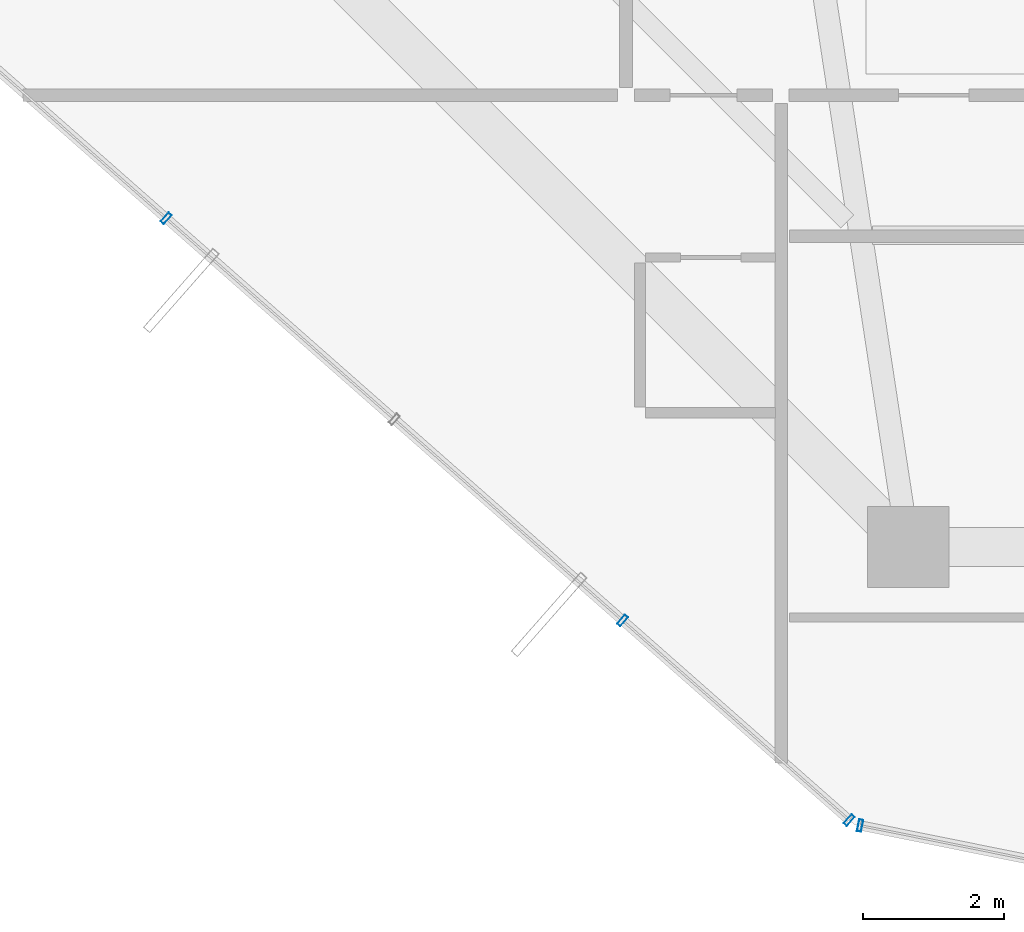
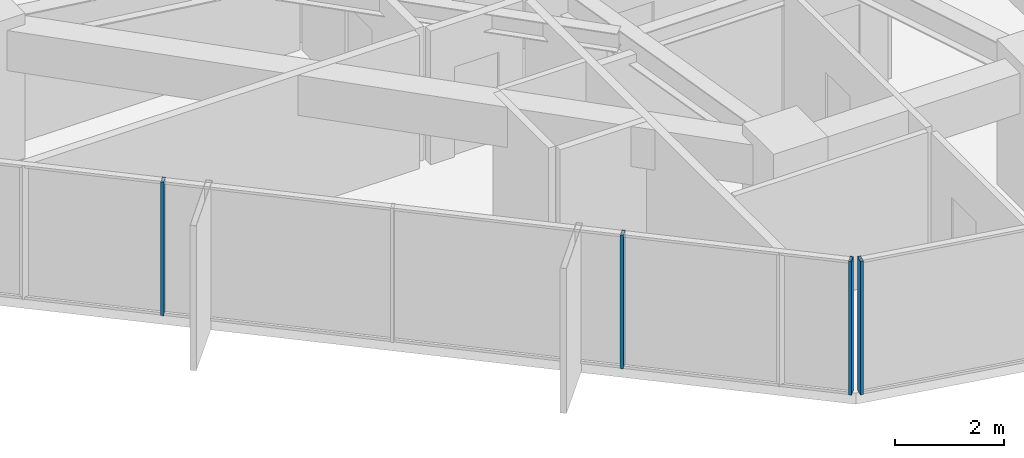
# One storey, part 4 of 32: 4 members, 2 elements without a shape of their own.
"""IFC4 building model written with IfcOpenShell, lengths in metres."""

import ifcopenshell
import ifcopenshell.guid

model = None  # the IFC model being written
_history = None  # IfcOwnerHistory: only IFC2X3 demands one
_inside = {}  # id of a spatial element -> (the spatial element, [elements in it])
_under = {}  # id of a project, library or spatial element -> (it, [spatial elements below it])
_declared = {}  # id of a project -> (the project, [libraries it declares])
_typed = {}  # id of a type object -> (the type object, [elements of that type])
_made_of = {}  # id of a material, layer set ... -> (it, [elements and type objects made of it])


def new_model(schema):
    """Start an empty IFC model of exactly this schema.

    Asked for "IFC4X3", IfcOpenShell would pick the latest addendum, in which some entities
    have other attributes; the version numbers below select the first issue.
    IFC2X3 requires an IfcOwnerHistory on every rooted entity: one is made here for all.
    """
    global model, _history
    if schema == "IFC4X3":
        model = ifcopenshell.file(schema_version=(4, 3, 0, 0))
    else:
        model = ifcopenshell.file(schema=schema)
    _inside.clear()
    _under.clear()
    _declared.clear()
    _typed.clear()
    _made_of.clear()
    _history = None
    if model.schema == "IFC2X3":
        org = make("IfcOrganization", Name="unknown")
        user = make(
            "IfcPersonAndOrganization",
            ThePerson=make("IfcPerson", FamilyName="unknown"),
            TheOrganization=org,
        )
        app = make(
            "IfcApplication",
            ApplicationDeveloper=org,
            Version="unknown",
            ApplicationFullName="unknown",
            ApplicationIdentifier="unknown",
        )
        _history = make(
            "IfcOwnerHistory",
            OwningUser=user,
            OwningApplication=app,
            ChangeAction="ADDED",
            CreationDate=0,
        )
    return model


def make(cls, **values):
    """One entity of the class cls with the attributes given. An attribute that is None is left unset."""
    return model.create_entity(
        cls, **{name: value for name, value in values.items() if value is not None}
    )


def rooted(cls, **values):
    """An entity with a GlobalId (a new one), such as an element, a storey or a relation."""
    return make(cls, GlobalId=ifcopenshell.guid.new(), OwnerHistory=_history, **values)


def si_unit(unit_type, name, prefix=None):
    """IfcSIUnit, for example si_unit("LENGTHUNIT", "METRE", prefix="MILLI")."""
    return make("IfcSIUnit", UnitType=unit_type, Prefix=prefix, Name=name)


def assignment(units):
    """IfcUnitAssignment: the units of a project."""
    return None if units is None else make("IfcUnitAssignment", Units=units)


def point(xyz):
    """IfcCartesianPoint."""
    return None if xyz is None else make("IfcCartesianPoint", Coordinates=xyz)


def direction(xyz):
    """IfcDirection."""
    return None if xyz is None else make("IfcDirection", DirectionRatios=xyz)


def frame(location, z_axis=None, x_axis=None):
    """IfcAxis2Placement3D, a coordinate frame: its origin and axes. An axis left out is left unset."""
    return make(
        "IfcAxis2Placement3D",
        Location=point(location),
        Axis=direction(z_axis),
        RefDirection=direction(x_axis),
    )


def frame_2d(location, x_axis=None):
    """IfcAxis2Placement2D, a coordinate frame in the plane: its origin and x axis."""
    return make(
        "IfcAxis2Placement2D", Location=point(location), RefDirection=direction(x_axis)
    )


def origin():
    """The frame at (0, 0, 0) with its axes left unset."""
    return frame((0.0, 0.0, 0.0))


def origin_2d():
    """The frame at (0, 0) in the plane with its x axis left unset."""
    return frame_2d((0.0, 0.0))


def place(relative_to, where):
    """IfcLocalPlacement: puts the frame where relative to a parent placement (None: the world)."""
    return make(
        "IfcLocalPlacement", PlacementRelTo=relative_to, RelativePlacement=where
    )


def context(
    kind, dimensions, precision=None, world=None, true_north=None, identifier=None
):
    """IfcGeometricRepresentationContext, for example the 3D "Model" context."""
    return make(
        "IfcGeometricRepresentationContext",
        ContextIdentifier=identifier,
        ContextType=kind,
        CoordinateSpaceDimension=dimensions,
        Precision=precision,
        WorldCoordinateSystem=world,
        TrueNorth=true_north,
    )


def subcontext(parent, identifier, kind, view, scale=None):
    """IfcGeometricRepresentationSubContext, for example "Body" below "Model"."""
    return make(
        "IfcGeometricRepresentationSubContext",
        ContextIdentifier=identifier,
        ContextType=kind,
        ParentContext=parent,
        TargetScale=scale,
        TargetView=view,
    )


def project(units=None, contexts=None):
    """IfcProject with its units and contexts."""
    return rooted(
        "IfcProject",
        Name="project",
        RepresentationContexts=contexts,
        UnitsInContext=assignment(units),
    )


def spatial(cls, under=None, at=None, **own):
    """A site, building, storey or space (cls), placed at a placement, below another one or the project."""
    s = rooted(cls, ObjectPlacement=at, **own)
    if under is not None:
        _under.setdefault(under.id(), (under, []))[1].append(s)
    return s


def profile(cls, at=None, kind="AREA", **sizes):
    """A parametric profile (cls). Its sizes go by their IFC names, for example OverallWidth=200.0."""
    return make(cls, ProfileType=kind, Position=at, **sizes)


def hollow_rectangle(**sizes):
    """IfcRectangleHollowProfileDef."""
    return profile("IfcRectangleHollowProfileDef", **sizes)


def extrude(swept, where, along, depth):
    """IfcExtrudedAreaSolid: the profile swept, set in the frame where, extruded along a direction by depth."""
    return make(
        "IfcExtrudedAreaSolid",
        SweptArea=swept,
        Position=where,
        ExtrudedDirection=direction(along),
        Depth=depth,
    )


def shape(context_of_items, identifier, shape_type, items):
    """IfcShapeRepresentation: the items that make up one representation, for example the "Body"."""
    return make(
        "IfcShapeRepresentation",
        ContextOfItems=context_of_items,
        RepresentationIdentifier=identifier,
        RepresentationType=shape_type,
        Items=items,
    )


def source(mapping_origin, context_of_items, identifier, shape_type, items):
    """IfcRepresentationMap: a shape defined once, which mapped items show again and again."""
    return make(
        "IfcRepresentationMap",
        MappingOrigin=mapping_origin,
        MappedRepresentation=shape(context_of_items, identifier, shape_type, items),
    )


def transform(
    local_origin,
    x_axis=None,
    y_axis=None,
    z_axis=None,
    scale=None,
    scale2=None,
    scale3=None,
    uniform=True,
):
    """IfcCartesianTransformationOperator3D, or its non-uniform kind. x_axis, y_axis, z_axis: its Axis1, 2, 3."""
    if uniform:
        return make(
            "IfcCartesianTransformationOperator3D",
            Axis1=direction(x_axis),
            Axis2=direction(y_axis),
            LocalOrigin=point(local_origin),
            Scale=scale,
            Axis3=direction(z_axis),
        )
    return make(
        "IfcCartesianTransformationOperator3DnonUniform",
        Axis1=direction(x_axis),
        Axis2=direction(y_axis),
        LocalOrigin=point(local_origin),
        Scale=scale,
        Axis3=direction(z_axis),
        Scale2=scale2,
        Scale3=scale3,
    )


def mapped(mapping_source, mapping_target):
    """IfcMappedItem: shows the shape of a source again, moved by a transform."""
    return make(
        "IfcMappedItem", MappingSource=mapping_source, MappingTarget=mapping_target
    )


def material(Name=None, Category=None):
    """IfcMaterial."""
    return make("IfcMaterial", Name=Name, Category=Category)


def layer(
    of_material, thickness, ventilated=None, Name=None, Category=None, Priority=None
):
    """IfcMaterialLayer: one layer of a wall or slab, of a material (None: an air gap)."""
    return make(
        "IfcMaterialLayer",
        Material=of_material,
        LayerThickness=thickness,
        IsVentilated=ventilated,
        Name=Name,
        Category=Category,
        Priority=Priority,
    )


def layer_set(layers, Name=None):
    """IfcMaterialLayerSet."""
    return make("IfcMaterialLayerSet", MaterialLayers=layers, LayerSetName=Name)


def material_profile(
    of_material, cross_section, Name=None, Category=None, Priority=None
):
    """IfcMaterialProfile: a cross section and its material."""
    return make(
        "IfcMaterialProfile",
        Name=Name,
        Material=of_material,
        Profile=cross_section,
        Priority=Priority,
        Category=Category,
    )


def profile_set(profiles, Name=None, composite=None):
    """IfcMaterialProfileSet."""
    return make(
        "IfcMaterialProfileSet",
        Name=Name,
        MaterialProfiles=profiles,
        CompositeProfile=composite,
    )


def made_of(thing, what):
    """Note that an element or type object is made of a material, layer set ...; save() writes the relation."""
    if what is not None:
        _made_of.setdefault(what.id(), (what, []))[1].append(thing)
    return thing


def type_object(cls, material=None, **own):
    """A type object (cls), such as IfcWallType, which elements share."""
    return made_of(rooted(cls, **own), material)


def element(
    cls,
    number,
    at=None,
    inside=None,
    cuts=None,
    type_object=None,
    material=None,
    context=None,
    identifier="Body",
    shape_type=None,
    held_by="IfcProductDefinitionShape",
    body=None,
    shapes=None,
    **own,
):
    """One element of the class cls, such as IfcWall. Its Tag is "e" and its number.

    at: its placement. inside: the storey or other place that contains it. cuts: it is an
    opening in that element (IfcRelVoidsElement). A single representation is given by context,
    identifier, shape_type and body (its items); several are given by shapes. held_by: the class
    of the entity that holds the representations. save() writes the other relations.
    """
    e = rooted(cls, Tag="e%d" % number, ObjectPlacement=at, **own)
    if body is not None:
        shapes = [shape(context, identifier, shape_type, body)]
    if shapes is not None:
        e.Representation = make(held_by, Representations=shapes)
    if inside is not None:
        _inside.setdefault(inside.id(), (inside, []))[1].append(e)
    if cuts is not None:
        rooted(
            "IfcRelVoidsElement", RelatingBuildingElement=cuts, RelatedOpeningElement=e
        )
    if type_object is not None:
        _typed.setdefault(type_object.id(), (type_object, []))[1].append(e)
    return made_of(e, material)


def aggregate(whole, parts):
    """IfcRelAggregates: a whole, such as a stair, and the parts it consists of."""
    return rooted("IfcRelAggregates", RelatingObject=whole, RelatedObjects=parts)


def save(model, path):
    """Write the relations noted so far, then the file.

    IfcRelAggregates (storeys below a building ...), IfcRelContainedInSpatialStructure (elements
    in a storey), IfcRelDefinesByType, IfcRelAssociatesMaterial and IfcRelDeclares: one each for
    every whole, place, type object, material and project.
    """
    for whole, parts in _under.values():
        aggregate(whole, parts)
    for where, things in _inside.values():
        rooted(
            "IfcRelContainedInSpatialStructure",
            RelatedElements=things,
            RelatingStructure=where,
        )
    for kind, things in _typed.values():
        rooted("IfcRelDefinesByType", RelatedObjects=things, RelatingType=kind)
    for what, things in _made_of.values():
        rooted("IfcRelAssociatesMaterial", RelatedObjects=things, RelatingMaterial=what)
    for by, libraries in _declared.values():
        rooted("IfcRelDeclares", RelatingContext=by, RelatedDefinitions=libraries)
    model.write(path)


model = new_model("IFC4")

# Units and contexts
model_context = context("Model", 3, precision=1e-05, world=origin(), true_north=direction((0.0, 1.0)))
body_context = subcontext(model_context, "Body", "Model", "MODEL_VIEW")
ifc_project = project(units=[si_unit("LENGTHUNIT", "METRE"), si_unit("AREAUNIT", "SQUARE_METRE"), si_unit("VOLUMEUNIT", "CUBIC_METRE"), si_unit("PLANEANGLEUNIT", "RADIAN"), si_unit("MASSUNIT", "GRAM", prefix="KILO")], contexts=[model_context])

# Site, building, storey
site_placement = place(None, origin())
site = spatial("IfcSite", under=ifc_project, at=site_placement, CompositionType="ELEMENT")
building_placement = place(site_placement, origin())
building = spatial("IfcBuilding", under=site, at=building_placement, Name="Veraguas Prism Commons", CompositionType="ELEMENT")
storey_placement = place(building_placement, frame((0.0, 0.0, 89.449951171875)))
storey = spatial("IfcBuildingStorey", under=building, at=storey_placement, Name="L24", CompositionType="ELEMENT", Elevation=89.449951171875)

# Curtain wall, members
ifc_material = material(Name="Anodised aluminium EN AW-6063 T6", Category="aluminium")
ifc_layer = layer(ifc_material, 0.169921875, Name="Unitised Flush Curtain Wall Zone 2", Category="aluminium")
ifc_layer_set = layer_set([ifc_layer], Name="Anodised aluminium EN AW-6063 T6")
curtain_wall_type = type_object("IfcCurtainWallType", Name="Unitised Flush Curtain Wall Zone 2", PredefinedType="NOTDEFINED", material=ifc_layer_set)
curtain_wall_1_placement = place(storey_placement, origin())
curtain_wall_1 = element("IfcCurtainWall", 1, at=curtain_wall_1_placement, inside=storey, type_object=curtain_wall_type, Name="Tower Facade Curtain Wall L24-F4", PredefinedType="NOTDEFINED")
ifc_material_profile = material_profile(ifc_material, hollow_rectangle(XDim=0.06005859375, YDim=0.169921875, WallThickness=0.00390625, at=origin_2d()), Name="AL60X170X4")
ifc_profile_set = profile_set([ifc_material_profile], Name="Anodised aluminium EN AW-6063 T6")
member_type = type_object("IfcMemberType", Name="Curtain Wall Mullion Lower AL 60x170x4", PredefinedType="MULLION", material=ifc_profile_set)
shared_shape = source(origin(), body_context, "Body", "SweptSolid", [
    extrude(hollow_rectangle(XDim=0.06005859375, YDim=0.169921875, WallThickness=0.00390625, at=origin_2d()), origin(), (0.0, 0.0, 1.0), 3.0),
])
member_1_placement = place(storey_placement, frame((8.08642578125, 12.454833984375, 0.0), z_axis=(0.0, 0.0, 1.0), x_axis=(0.750341865315, -0.661049986881, 0.0)))
member_1 = element("IfcMember", 2, at=member_1_placement, type_object=member_type, Name="CW-Z2 Mullion 2", PredefinedType="MULLION", context=body_context, shape_type="MappedRepresentation", body=[
    mapped(shared_shape, transform((0.0, 0.0, 0.0), scale=1.0)),
])
member_2_placement = place(storey_placement, frame((14.552490234375, 6.75830078125, 0.0), z_axis=(0.0, 0.0, 1.0), x_axis=(0.750341865315, -0.661049986881, 0.0)))
member_2 = element("IfcMember", 3, at=member_2_placement, type_object=member_type, Name="CW-Z2 Mullion 4", PredefinedType="MULLION", context=body_context, shape_type="MappedRepresentation", body=[
    mapped(shared_shape, transform((0.0, 0.0, 0.0), scale=1.0)),
])
member_3_placement = place(storey_placement, frame((17.7626953125, 3.929931640625, 0.0), z_axis=(0.0, 0.0, 1.0), x_axis=(0.750341865315, -0.661049986881, 0.0)))
member_3 = element("IfcMember", 4, at=member_3_placement, type_object=member_type, Name="CW-Z2 Mullion 5", PredefinedType="MULLION", context=body_context, shape_type="MappedRepresentation", body=[
    mapped(shared_shape, transform((0.0, 0.0, 0.0), scale=1.0)),
])
aggregate(curtain_wall_1, [member_1, member_2, member_3])

# Curtain wall, member
curtain_wall_2_placement = place(storey_placement, origin())
curtain_wall_2 = element("IfcCurtainWall", 5, at=curtain_wall_2_placement, inside=storey, type_object=curtain_wall_type, Name="Chamfer Curtain Wall L24-C5", PredefinedType="NOTDEFINED")
member_4_placement = place(storey_placement, frame((17.91845703125, 3.852783203125, 0.0), z_axis=(0.0, 0.0, 1.0), x_axis=(0.980340454705, -0.197313438136, 0.0)))
member_4 = element("IfcMember", 6, at=member_4_placement, type_object=member_type, Name="CW-Z2 Mullion 1", PredefinedType="MULLION", context=body_context, shape_type="MappedRepresentation", body=[
    mapped(shared_shape, transform((0.0, 0.0, 0.0), scale=1.0)),
])
aggregate(curtain_wall_2, [member_4])

save(model, "model.ifc")
